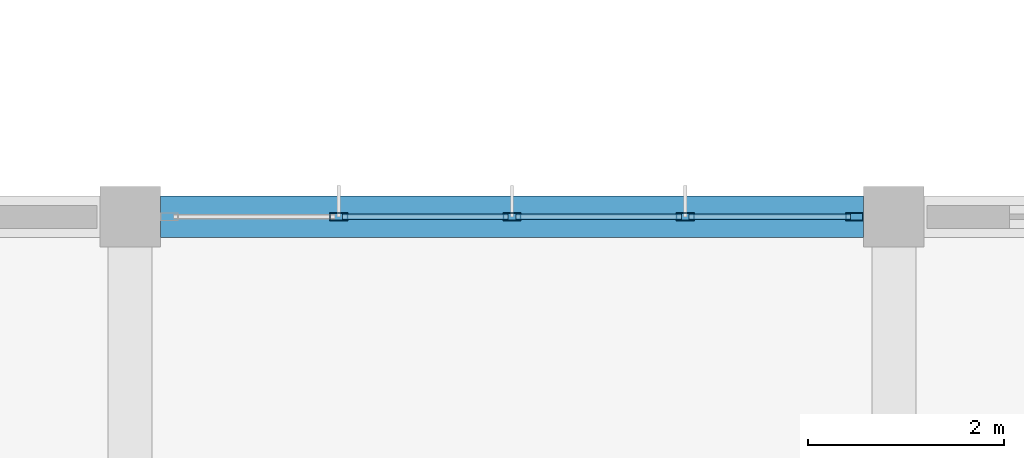
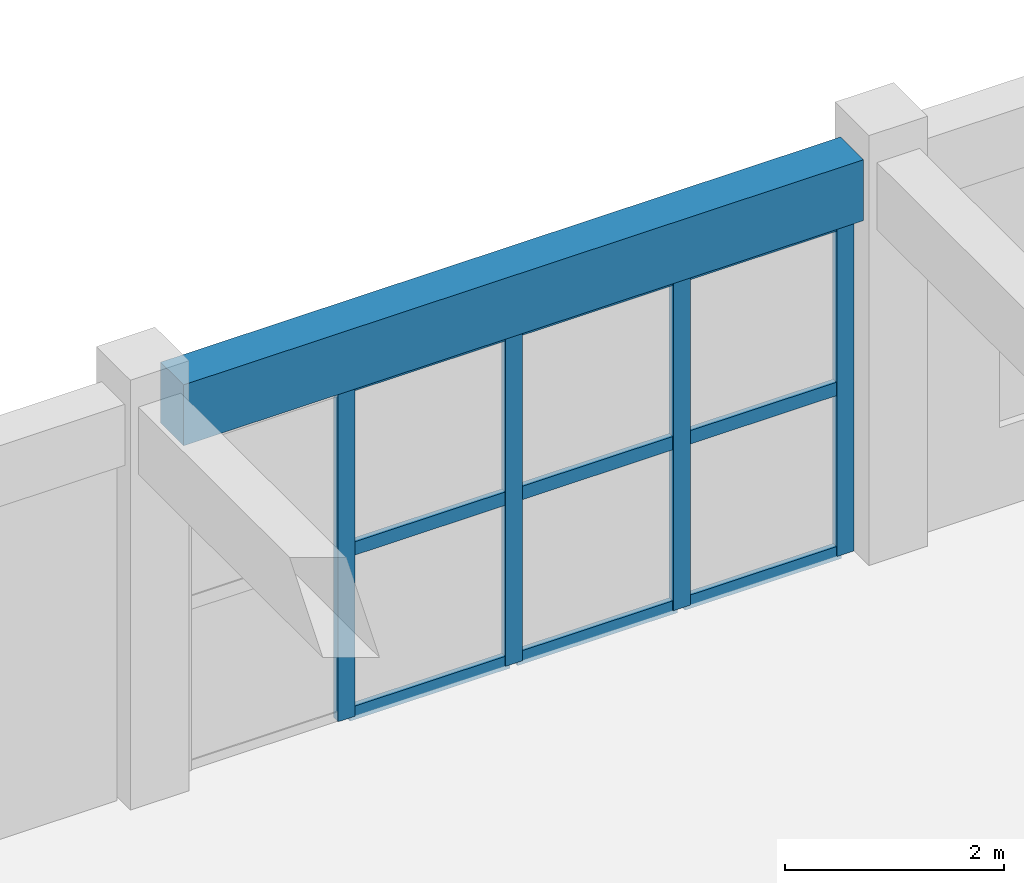
# One storey, part 109 of 167: 13 members, 1 beam, 1 element without a shape of its own.
"""IFC4 building model written with IfcOpenShell, lengths in metres."""

from ifc_helpers import new_model, si_unit, direction, frame, origin, origin_2d, place, context, subcontext, project, spatial, rectangle, hollow_rectangle, extrude, material, layer, layer_set, material_profile, profile_set, type_object, element, aggregate, save


model = new_model("IFC4")

# Units and contexts
model_context = context("Model", 3, precision=1e-05, world=origin(), true_north=direction((0.0, 1.0)))
body_context = subcontext(model_context, "Body", "Model", "MODEL_VIEW")
ifc_project = project(units=[si_unit("LENGTHUNIT", "METRE"), si_unit("AREAUNIT", "SQUARE_METRE"), si_unit("VOLUMEUNIT", "CUBIC_METRE"), si_unit("PLANEANGLEUNIT", "RADIAN"), si_unit("MASSUNIT", "GRAM", prefix="KILO")], contexts=[model_context])

# Site, building, storey
site_placement = place(None, origin())
site = spatial("IfcSite", under=ifc_project, at=site_placement, CompositionType="ELEMENT")
building_placement = place(site_placement, origin())
building = spatial("IfcBuilding", under=site, at=building_placement, Name="Zizhar Promenade General Hospital", CompositionType="ELEMENT")
storey_placement = place(building_placement, frame((0.0, 0.0, 9.60009765625)))
storey = spatial("IfcBuildingStorey", under=building, at=storey_placement, Name="L02", CompositionType="ELEMENT", Elevation=9.60009765625)

# Beam
ifc_material_1 = material(Name="Concrete C35/45", Category="concrete")
ifc_material_profile_1 = material_profile(ifc_material_1, rectangle(XDim=0.419921875, YDim=0.679931640625, at=origin_2d()))
ifc_profile_set_1 = profile_set([ifc_material_profile_1], Name="Concrete C35/45")
beam_type = type_object("IfcBeamType", Name="BM-RC-420x680", PredefinedType="JOIST", material=ifc_profile_set_1)
beam_placement = place(storey_placement, frame((156.31005859375, 109.199951171875, 4.1298828125), z_axis=(1.0, 0.0, 0.0), x_axis=(0.0, 1.0, 0.0)))
element("IfcBeam", 1, at=beam_placement, inside=storey, type_object=beam_type, Name="Grid Beam X L02 (20-13)", PredefinedType="JOIST", context=body_context, shape_type="SweptSolid", body=[
    extrude(rectangle(XDim=0.419921875, YDim=0.679931640625, at=origin_2d()), origin(), (0.0, 0.0, 1.0), 7.179931640625),
])

# Curtain wall, members
ifc_material_2 = material(Name="Anodised aluminium 6063-T6 and low-E glass", Category="aluminium")
ifc_layer = layer(ifc_material_2, 0.159912109375)
ifc_layer_set = layer_set([ifc_layer], Name="Anodised aluminium 6063-T6 and low-E glass")
curtain_wall_type = type_object("IfcCurtainWallType", Name="CW-CLN-EXT", PredefinedType="NOTDEFINED", material=ifc_layer_set)
curtain_wall_placement = place(storey_placement, origin())
curtain_wall = element("IfcCurtainWall", 2, at=curtain_wall_placement, inside=storey, type_object=curtain_wall_type, Name="Outpatient North Curtain Wall L02-20", PredefinedType="NOTDEFINED")
ifc_material_3 = material(Name="Anodised aluminium 6063-T6", Category="aluminium")
ifc_material_profile_2 = material_profile(ifc_material_3, hollow_rectangle(XDim=0.080078125, YDim=0.179931640625, WallThickness=0.0048828125, at=origin_2d()))
ifc_profile_set_2 = profile_set([ifc_material_profile_2], Name="Anodised aluminium 6063-T6")
member_type_1 = type_object("IfcMemberType", Name="CWM-ALU-180x80", PredefinedType="MULLION", material=ifc_profile_set_2)
member_1_placement = place(storey_placement, frame((158.1298828125, 109.199951171875, 0.0), z_axis=(0.0, 0.0, 1.0), x_axis=(0.0, 1.0, 0.0)))
member_1 = element("IfcMember", 3, at=member_1_placement, type_object=member_type_1, Name="CW-09 mullion 2", PredefinedType="MULLION", context=body_context, shape_type="SweptSolid", body=[
    extrude(hollow_rectangle(XDim=0.080078125, YDim=0.179931640625, WallThickness=0.0048828125, at=origin_2d()), origin(), (0.0, 0.0, 1.0), 3.72998046875),
])
member_2_placement = place(storey_placement, frame((159.89990234375, 109.199951171875, 0.0), z_axis=(0.0, 0.0, 1.0), x_axis=(0.0, 1.0, 0.0)))
member_2 = element("IfcMember", 4, at=member_2_placement, type_object=member_type_1, Name="CW-09 mullion 3", PredefinedType="MULLION", context=body_context, shape_type="SweptSolid", body=[
    extrude(hollow_rectangle(XDim=0.080078125, YDim=0.179931640625, WallThickness=0.0048828125, at=origin_2d()), origin(), (0.0, 0.0, 1.0), 3.72998046875),
])
member_3_placement = place(storey_placement, frame((161.669921875, 109.199951171875, 0.0), z_axis=(0.0, 0.0, 1.0), x_axis=(0.0, 1.0, 0.0)))
member_3 = element("IfcMember", 5, at=member_3_placement, type_object=member_type_1, Name="CW-09 mullion 4", PredefinedType="MULLION", context=body_context, shape_type="SweptSolid", body=[
    extrude(hollow_rectangle(XDim=0.080078125, YDim=0.179931640625, WallThickness=0.0048828125, at=origin_2d()), origin(), (0.0, 0.0, 1.0), 3.72998046875),
])
member_4_placement = place(storey_placement, frame((163.39990234375, 109.199951171875, 0.0), z_axis=(0.0, 0.0, 1.0), x_axis=(0.0, 1.0, 0.0)))
member_4 = element("IfcMember", 6, at=member_4_placement, type_object=member_type_1, Name="CW-09 mullion 5", PredefinedType="MULLION", context=body_context, shape_type="SweptSolid", body=[
    extrude(hollow_rectangle(XDim=0.080078125, YDim=0.179931640625, WallThickness=0.0048828125, at=origin_2d()), origin(), (0.0, 0.0, 1.0), 3.72998046875),
])
ifc_material_4 = material(Name="Anodised aluminium 6063-T6", Category="aluminium")
ifc_material_profile_3 = material_profile(ifc_material_4, hollow_rectangle(XDim=0.06005859375, YDim=0.14990234375, WallThickness=0.00390625, at=origin_2d()))
ifc_profile_set_3 = profile_set([ifc_material_profile_3], Name="Anodised aluminium 6063-T6")
member_type_2 = type_object("IfcMemberType", Name="CWT-ALU-150x60", PredefinedType="USERDEFINED", material=ifc_profile_set_3)
member_5_placement = place(storey_placement, frame((158.169921875, 109.199951171875, 0.02978515625), z_axis=(1.0, 0.0, 0.0), x_axis=(0.0, 1.0, 0.0)))
member_5 = element("IfcMember", 7, at=member_5_placement, type_object=member_type_2, Name="CW-09 transom 2.1", ObjectType="TRANSOM", PredefinedType="USERDEFINED", context=body_context, shape_type="SweptSolid", body=[
    extrude(hollow_rectangle(XDim=0.06005859375, YDim=0.14990234375, WallThickness=0.00390625, at=origin_2d()), origin(), (0.0, 0.0, 1.0), 1.690185546875),
])
member_6_placement = place(storey_placement, frame((158.169921875, 109.199951171875, 1.864990234375), z_axis=(1.0, 0.0, 0.0), x_axis=(0.0, 1.0, 0.0)))
member_6 = element("IfcMember", 8, at=member_6_placement, type_object=member_type_2, Name="CW-09 transom 2.2", ObjectType="TRANSOM", PredefinedType="USERDEFINED", context=body_context, shape_type="SweptSolid", body=[
    extrude(hollow_rectangle(XDim=0.06005859375, YDim=0.14990234375, WallThickness=0.00390625, at=origin_2d()), origin(), (0.0, 0.0, 1.0), 1.690185546875),
])
member_7_placement = place(storey_placement, frame((158.169921875, 109.199951171875, 3.699951171875), z_axis=(1.0, 0.0, 0.0), x_axis=(0.0, 1.0, 0.0)))
member_7 = element("IfcMember", 9, at=member_7_placement, type_object=member_type_2, Name="CW-09 transom 2.3", ObjectType="TRANSOM", PredefinedType="USERDEFINED", context=body_context, shape_type="SweptSolid", body=[
    extrude(hollow_rectangle(XDim=0.06005859375, YDim=0.14990234375, WallThickness=0.00390625, at=origin_2d()), origin(), (0.0, 0.0, 1.0), 1.690185546875),
])
member_8_placement = place(storey_placement, frame((159.93994140625, 109.199951171875, 0.02978515625), z_axis=(1.0, 0.0, 0.0), x_axis=(0.0, 1.0, 0.0)))
member_8 = element("IfcMember", 10, at=member_8_placement, type_object=member_type_2, Name="CW-09 transom 3.1", ObjectType="TRANSOM", PredefinedType="USERDEFINED", context=body_context, shape_type="SweptSolid", body=[
    extrude(hollow_rectangle(XDim=0.06005859375, YDim=0.14990234375, WallThickness=0.00390625, at=origin_2d()), origin(), (0.0, 0.0, 1.0), 1.68994140625),
])
member_9_placement = place(storey_placement, frame((159.93994140625, 109.199951171875, 1.864990234375), z_axis=(1.0, 0.0, 0.0), x_axis=(0.0, 1.0, 0.0)))
member_9 = element("IfcMember", 11, at=member_9_placement, type_object=member_type_2, Name="CW-09 transom 3.2", ObjectType="TRANSOM", PredefinedType="USERDEFINED", context=body_context, shape_type="SweptSolid", body=[
    extrude(hollow_rectangle(XDim=0.06005859375, YDim=0.14990234375, WallThickness=0.00390625, at=origin_2d()), origin(), (0.0, 0.0, 1.0), 1.68994140625),
])
member_10_placement = place(storey_placement, frame((159.93994140625, 109.199951171875, 3.699951171875), z_axis=(1.0, 0.0, 0.0), x_axis=(0.0, 1.0, 0.0)))
member_10 = element("IfcMember", 12, at=member_10_placement, type_object=member_type_2, Name="CW-09 transom 3.3", ObjectType="TRANSOM", PredefinedType="USERDEFINED", context=body_context, shape_type="SweptSolid", body=[
    extrude(hollow_rectangle(XDim=0.06005859375, YDim=0.14990234375, WallThickness=0.00390625, at=origin_2d()), origin(), (0.0, 0.0, 1.0), 1.68994140625),
])
member_11_placement = place(storey_placement, frame((161.7099609375, 109.199951171875, 0.02978515625), z_axis=(1.0, 0.0, 0.0), x_axis=(0.0, 1.0, 0.0)))
member_11 = element("IfcMember", 13, at=member_11_placement, type_object=member_type_2, Name="CW-09 transom 4.1", ObjectType="TRANSOM", PredefinedType="USERDEFINED", context=body_context, shape_type="SweptSolid", body=[
    extrude(hollow_rectangle(XDim=0.06005859375, YDim=0.14990234375, WallThickness=0.00390625, at=origin_2d()), origin(), (0.0, 0.0, 1.0), 1.650146484375),
])
member_12_placement = place(storey_placement, frame((161.7099609375, 109.199951171875, 1.864990234375), z_axis=(1.0, 0.0, 0.0), x_axis=(0.0, 1.0, 0.0)))
member_12 = element("IfcMember", 14, at=member_12_placement, type_object=member_type_2, Name="CW-09 transom 4.2", ObjectType="TRANSOM", PredefinedType="USERDEFINED", context=body_context, shape_type="SweptSolid", body=[
    extrude(hollow_rectangle(XDim=0.06005859375, YDim=0.14990234375, WallThickness=0.00390625, at=origin_2d()), origin(), (0.0, 0.0, 1.0), 1.650146484375),
])
member_13_placement = place(storey_placement, frame((161.7099609375, 109.199951171875, 3.699951171875), z_axis=(1.0, 0.0, 0.0), x_axis=(0.0, 1.0, 0.0)))
member_13 = element("IfcMember", 15, at=member_13_placement, type_object=member_type_2, Name="CW-09 transom 4.3", ObjectType="TRANSOM", PredefinedType="USERDEFINED", context=body_context, shape_type="SweptSolid", body=[
    extrude(hollow_rectangle(XDim=0.06005859375, YDim=0.14990234375, WallThickness=0.00390625, at=origin_2d()), origin(), (0.0, 0.0, 1.0), 1.650146484375),
])
aggregate(curtain_wall, [member_1, member_2, member_3, member_4, member_5, member_6, member_7, member_8, member_9, member_10, member_11, member_12, member_13])

save(model, "model.ifc")
